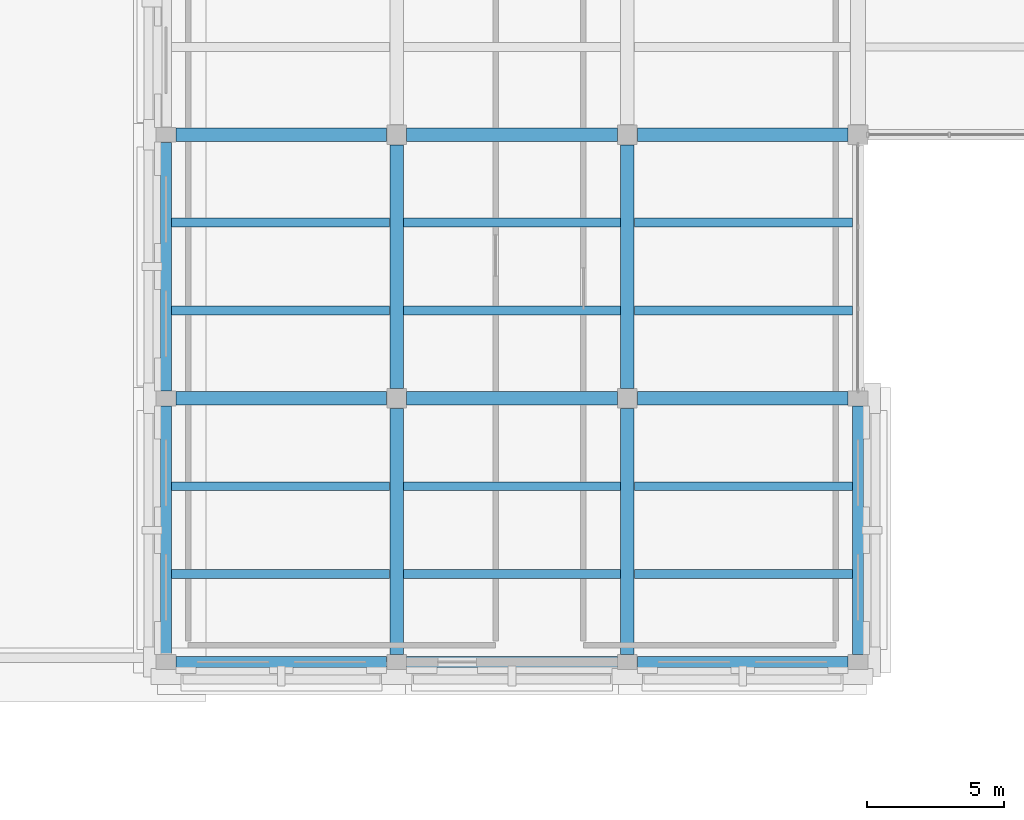
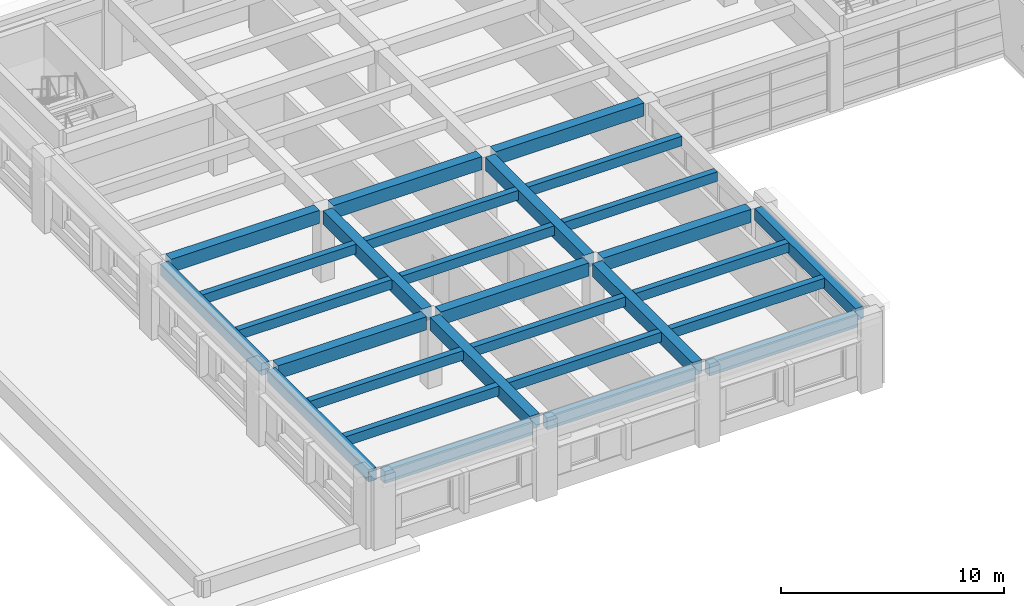
# One storey, part 5 of 62: 28 beams.
"""IFC4 building model written with IfcOpenShell, lengths in metres."""

from ifc_helpers import new_model, si_unit, direction, frame, origin, origin_2d, place, context, subcontext, project, spatial, rectangle, extrude, material, material_profile, profile_set, type_object, element, save


model = new_model("IFC4")

# Units and contexts
model_context = context("Model", 3, precision=1e-05, world=origin(), true_north=direction((0.0, 1.0)))
body_context = subcontext(model_context, "Body", "Model", "MODEL_VIEW")
ifc_project = project(units=[si_unit("LENGTHUNIT", "METRE"), si_unit("AREAUNIT", "SQUARE_METRE"), si_unit("VOLUMEUNIT", "CUBIC_METRE"), si_unit("PLANEANGLEUNIT", "RADIAN"), si_unit("MASSUNIT", "GRAM", prefix="KILO")], contexts=[model_context])

# Site, building, storey
site_placement = place(None, origin())
site = spatial("IfcSite", under=ifc_project, at=site_placement, CompositionType="ELEMENT")
building_placement = place(site_placement, origin())
building = spatial("IfcBuilding", under=site, at=building_placement, Name="Bempovik Park Faculty of Sciences", CompositionType="ELEMENT")
storey_placement = place(building_placement, frame((0.0, 0.0, 9.89990234375)))
storey = spatial("IfcBuildingStorey", under=building, at=storey_placement, Name="L02", CompositionType="ELEMENT", Elevation=9.89990234375)

# Beams
ifc_material = material(Name="Concrete C35/45", Category="concrete")
ifc_material_profile_1 = material_profile(ifc_material, rectangle(XDim=0.320068359375, YDim=0.52001953125, at=origin_2d()), Name="RC 320x520")
ifc_profile_set_1 = profile_set([ifc_material_profile_1], Name="Concrete C35/45")
beam_type_1 = type_object("IfcBeamType", Name="B-028 RC 320x520", PredefinedType="JOIST", material=ifc_profile_set_1)
for number, where, z_axis, x_axis, name in (
    (1, (15.805908203125, 51.800048828125, 3.64013671875), (1.0, 0.0, 0.0), (0.0, 1.0, 0.0), "L02 Secondary Joist (15.6-24.0, y=51.80)"),
    (2, (15.805908203125, 55.0, 3.64013671875), (1.0, 0.0, 0.0), (0.0, 1.0, 0.0), "L02 Secondary Joist (15.6-24.0, y=55.00)"),
    (3, (15.805908203125, 61.39990234375, 3.64013671875), (1.0, 0.0, 0.0), (0.0, 1.0, 0.0), "L02 Secondary Joist (15.6-24.0, y=61.40)"),
    (4, (15.805908203125, 64.60009765625, 3.64013671875), (1.0, 0.0, 0.0), (0.0, 1.0, 0.0), "L02 Secondary Joist (15.6-24.0, y=64.60)"),
):
    element("IfcBeam", number, at=place(storey_placement, frame(where, z_axis=z_axis, x_axis=x_axis)), inside=storey, type_object=beam_type_1, Name=name, PredefinedType="JOIST", context=body_context, shape_type="SweptSolid", body=[
        extrude(rectangle(XDim=0.320068359375, YDim=0.52001953125, at=origin_2d()), origin(), (0.0, 0.0, 1.0), 7.93798828125),
    ])
for number, where, z_axis, x_axis, name in (
    (5, (24.256103515625, 51.800048828125, 3.64013671875), (1.0, 0.0, 0.0), (0.0, 1.0, 0.0), "L02 Secondary Joist (24.0-32.4, y=51.80)"),
    (6, (24.256103515625, 55.0, 3.64013671875), (1.0, 0.0, 0.0), (0.0, 1.0, 0.0), "L02 Secondary Joist (24.0-32.4, y=55.00)"),
    (7, (24.256103515625, 61.39990234375, 3.64013671875), (1.0, 0.0, 0.0), (0.0, 1.0, 0.0), "L02 Secondary Joist (24.0-32.4, y=61.40)"),
    (8, (24.256103515625, 64.60009765625, 3.64013671875), (1.0, 0.0, 0.0), (0.0, 1.0, 0.0), "L02 Secondary Joist (24.0-32.4, y=64.60)"),
):
    element("IfcBeam", number, at=place(storey_placement, frame(where, z_axis=z_axis, x_axis=x_axis)), inside=storey, type_object=beam_type_1, Name=name, PredefinedType="JOIST", context=body_context, shape_type="SweptSolid", body=[
        extrude(rectangle(XDim=0.320068359375, YDim=0.52001953125, at=origin_2d()), origin(), (0.0, 0.0, 1.0), 7.887939453125),
    ])
for number, where, z_axis, x_axis, name in (
    (9, (32.656005859375, 51.800048828125, 3.64013671875), (1.0, 0.0, 0.0), (0.0, 1.0, 0.0), "L02 Secondary Joist (32.4-40.8, y=51.80)"),
    (10, (32.656005859375, 55.0, 3.64013671875), (1.0, 0.0, 0.0), (0.0, 1.0, 0.0), "L02 Secondary Joist (32.4-40.8, y=55.00)"),
    (11, (32.656005859375, 61.39990234375, 3.64013671875), (1.0, 0.0, 0.0), (0.0, 1.0, 0.0), "L02 Secondary Joist (32.4-40.8, y=61.40)"),
    (12, (32.656005859375, 64.60009765625, 3.64013671875), (1.0, 0.0, 0.0), (0.0, 1.0, 0.0), "L02 Secondary Joist (32.4-40.8, y=64.60)"),
):
    element("IfcBeam", number, at=place(storey_placement, frame(where, z_axis=z_axis, x_axis=x_axis)), inside=storey, type_object=beam_type_1, Name=name, PredefinedType="JOIST", context=body_context, shape_type="SweptSolid", body=[
        extrude(rectangle(XDim=0.320068359375, YDim=0.52001953125, at=origin_2d()), origin(), (0.0, 0.0, 1.0), 7.93798828125),
    ])
ifc_material_profile_2 = material_profile(ifc_material, rectangle(XDim=0.5, YDim=0.719970703125, at=origin_2d()), Name="RC 500x720")
ifc_profile_set_2 = profile_set([ifc_material_profile_2], Name="Concrete C35/45")
beam_type_2 = type_object("IfcBeamType", Name="B-092 RC 500x720", PredefinedType="BEAM", material=ifc_profile_set_2)
for number, where, z_axis, x_axis, name in (
    (13, (15.966064453125, 58.199951171875, 3.5400390625), (1.0, 0.0, 0.0), (0.0, 1.0, 0.0), "L02 Beam X (15.6-24.0, y=58.2)"),
    (14, (24.365966796875, 58.199951171875, 3.5400390625), (1.0, 0.0, 0.0), (0.0, 1.0, 0.0), "L02 Beam X (24.0-32.4, y=58.2)"),
    (15, (32.76611328125, 58.199951171875, 3.5400390625), (1.0, 0.0, 0.0), (0.0, 1.0, 0.0), "L02 Beam X (32.4-40.8, y=58.2)"),
    (16, (15.966064453125, 67.800048828125, 3.5400390625), (1.0, 0.0, 0.0), (0.0, 1.0, 0.0), "L02 Beam X (15.6-24.0, y=67.8)"),
    (17, (24.365966796875, 67.800048828125, 3.5400390625), (1.0, 0.0, 0.0), (0.0, 1.0, 0.0), "L02 Beam X (24.0-32.4, y=67.8)"),
    (18, (32.76611328125, 67.800048828125, 3.5400390625), (1.0, 0.0, 0.0), (0.0, 1.0, 0.0), "L02 Beam X (32.4-40.8, y=67.8)"),
):
    element("IfcBeam", number, at=place(storey_placement, frame(where, z_axis=z_axis, x_axis=x_axis)), inside=storey, type_object=beam_type_2, Name=name, PredefinedType="BEAM", context=body_context, shape_type="SweptSolid", body=[
        extrude(rectangle(XDim=0.5, YDim=0.719970703125, at=origin_2d()), origin(), (0.0, 0.0, 1.0), 7.66796875),
    ])
beam_1_placement = place(storey_placement, frame((24.0, 48.8759765625, 3.5400390625), z_axis=(0.0, 1.0, 0.0), x_axis=(-1.0, 0.0, 0.0)))
element("IfcBeam", 19, at=beam_1_placement, inside=storey, type_object=beam_type_2, Name="L02 Beam Y (x=24.0, 48.6-58.2)", PredefinedType="BEAM", context=body_context, shape_type="SweptSolid", body=[
    extrude(rectangle(XDim=0.5, YDim=0.719970703125, at=origin_2d()), origin(), (0.0, 0.0, 1.0), 8.9580078125),
])
beam_2_placement = place(storey_placement, frame((24.0, 58.56591796875, 3.5400390625), z_axis=(0.0, 1.0, 0.0), x_axis=(-1.0, 0.0, 0.0)))
element("IfcBeam", 20, at=beam_2_placement, inside=storey, type_object=beam_type_2, Name="L02 Beam Y (x=24.0, 58.2-67.8)", PredefinedType="BEAM", context=body_context, shape_type="SweptSolid", body=[
    extrude(rectangle(XDim=0.5, YDim=0.719970703125, at=origin_2d()), origin(), (0.0, 0.0, 1.0), 8.8681640625),
])
beam_3_placement = place(storey_placement, frame((32.39990234375, 48.8759765625, 3.5400390625), z_axis=(0.0, 1.0, 0.0), x_axis=(-1.0, 0.0, 0.0)))
element("IfcBeam", 21, at=beam_3_placement, inside=storey, type_object=beam_type_2, Name="L02 Beam Y (x=32.4, 48.6-58.2)", PredefinedType="BEAM", context=body_context, shape_type="SweptSolid", body=[
    extrude(rectangle(XDim=0.5, YDim=0.719970703125, at=origin_2d()), origin(), (0.0, 0.0, 1.0), 8.9580078125),
])
beam_4_placement = place(storey_placement, frame((32.39990234375, 58.56591796875, 3.5400390625), z_axis=(0.0, 1.0, 0.0), x_axis=(-1.0, 0.0, 0.0)))
element("IfcBeam", 22, at=beam_4_placement, inside=storey, type_object=beam_type_2, Name="L02 Beam Y (x=32.4, 58.2-67.8)", PredefinedType="BEAM", context=body_context, shape_type="SweptSolid", body=[
    extrude(rectangle(XDim=0.5, YDim=0.719970703125, at=origin_2d()), origin(), (0.0, 0.0, 1.0), 8.8681640625),
])
ifc_material_profile_3 = material_profile(ifc_material, rectangle(XDim=0.39990234375, YDim=0.659912109375, at=origin_2d()), Name="RC 400x660")
ifc_profile_set_3 = profile_set([ifc_material_profile_3], Name="Concrete C35/45")
beam_type_3 = type_object("IfcBeamType", Name="B-097 RC 400x660", PredefinedType="SPANDREL", material=ifc_profile_set_3)
for number, where, z_axis, x_axis, name in (
    (23, (15.966064453125, 48.60009765625, 3.570068359375), (1.0, 0.0, 0.0), (0.0, 1.0, 0.0), "L02 Beam X (15.6-24.0, y=48.6)"),
    (24, (24.365966796875, 48.60009765625, 3.570068359375), (1.0, 0.0, 0.0), (0.0, 1.0, 0.0), "L02 Beam X (24.0-32.4, y=48.6)"),
    (25, (32.76611328125, 48.60009765625, 3.570068359375), (1.0, 0.0, 0.0), (0.0, 1.0, 0.0), "L02 Beam X (32.4-40.8, y=48.6)"),
):
    element("IfcBeam", number, at=place(storey_placement, frame(where, z_axis=z_axis, x_axis=x_axis)), inside=storey, type_object=beam_type_3, Name=name, PredefinedType="SPANDREL", context=body_context, shape_type="SweptSolid", body=[
        extrude(rectangle(XDim=0.39990234375, YDim=0.659912109375, at=origin_2d()), origin(), (0.0, 0.0, 1.0), 7.66796875),
    ])
beam_5_placement = place(storey_placement, frame((15.60009765625, 48.8759765625, 3.570068359375), z_axis=(0.0, 1.0, 0.0), x_axis=(-1.0, 0.0, 0.0)))
element("IfcBeam", 26, at=beam_5_placement, inside=storey, type_object=beam_type_3, Name="L02 Beam Y (x=15.6, 48.6-58.2)", PredefinedType="SPANDREL", context=body_context, shape_type="SweptSolid", body=[
    extrude(rectangle(XDim=0.39990234375, YDim=0.659912109375, at=origin_2d()), origin(), (0.0, 0.0, 1.0), 9.048095703125),
])
beam_6_placement = place(storey_placement, frame((15.60009765625, 58.47607421875, 3.570068359375), z_axis=(0.0, 1.0, 0.0), x_axis=(-1.0, 0.0, 0.0)))
element("IfcBeam", 27, at=beam_6_placement, inside=storey, type_object=beam_type_3, Name="L02 Beam Y (x=15.6, 58.2-67.8)", PredefinedType="SPANDREL", context=body_context, shape_type="SweptSolid", body=[
    extrude(rectangle(XDim=0.39990234375, YDim=0.659912109375, at=origin_2d()), origin(), (0.0, 0.0, 1.0), 9.0478515625),
])
beam_7_placement = place(storey_placement, frame((40.800048828125, 48.8759765625, 3.570068359375), z_axis=(0.0, 1.0, 0.0), x_axis=(-1.0, 0.0, 0.0)))
element("IfcBeam", 28, at=beam_7_placement, inside=storey, type_object=beam_type_3, Name="L02 Beam Y (x=40.8, 48.6-58.2)", PredefinedType="SPANDREL", context=body_context, shape_type="SweptSolid", body=[
    extrude(rectangle(XDim=0.39990234375, YDim=0.659912109375, at=origin_2d()), origin(), (0.0, 0.0, 1.0), 9.048095703125),
])

save(model, "model.ifc")
